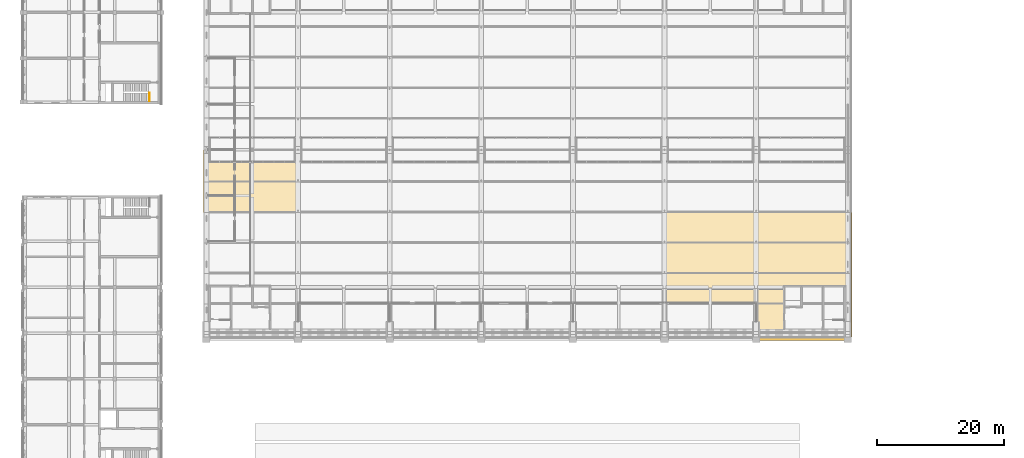
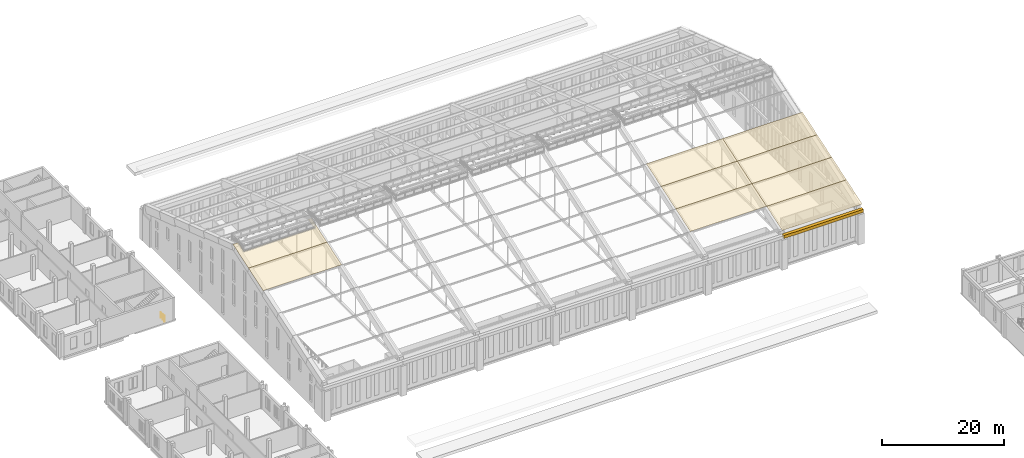
# One storey, part 146 of 149: 10 coverings, 1 railing.
"""IFC4 building model written with IfcOpenShell, lengths in metres."""

from ifc_helpers import new_model, si_unit, direction, frame, frame_2d, origin, origin_2d, place, context, subcontext, project, spatial, polyline, rectangle, circle, outline, extrude, material, layer, layer_set, type_object, element, save


model = new_model("IFC4")

# Units and contexts
model_context = context("Model", 3, precision=1e-05, world=origin(), true_north=direction((0.0, 1.0)))
body_context = subcontext(model_context, "Body", "Model", "MODEL_VIEW")
ifc_project = project(units=[si_unit("LENGTHUNIT", "METRE"), si_unit("AREAUNIT", "SQUARE_METRE"), si_unit("VOLUMEUNIT", "CUBIC_METRE"), si_unit("PLANEANGLEUNIT", "RADIAN"), si_unit("MASSUNIT", "GRAM", prefix="KILO")], contexts=[model_context])

# Site, building, storey
site_placement = place(None, origin())
site = spatial("IfcSite", under=ifc_project, at=site_placement, CompositionType="ELEMENT")
building_placement = place(site_placement, origin())
building = spatial("IfcBuilding", under=site, at=building_placement, Name="Alderwick Market Hall", CompositionType="ELEMENT")
storey_placement = place(building_placement, frame((0.0, 0.0, 9.60009765625)))
storey = spatial("IfcBuildingStorey", under=building, at=storey_placement, Name="L01", CompositionType="ELEMENT", Elevation=9.60009765625)

# Railing
ifc_material_1 = material(Name="Steel ASTM A500 Grade C", Category="steel")
railing_type = type_object("IfcRailingType", Name="B Stair Guard 1100", PredefinedType="GUARDRAIL", material=ifc_material_1)
railing_placement = place(storey_placement, frame((41.449951171875, 86.85009765625, 0.0)))
element("IfcRailing", 1, at=railing_placement, inside=storey, type_object=railing_type, Name="Stair well guard", PredefinedType="GUARDRAIL", context=body_context, shape_type="SweptSolid", body=[
    extrude(circle(Radius=0.02392578125, at=origin_2d()), frame((0.0, 0.0, 1.076171875), z_axis=(0.0, 1.0, 0.0), x_axis=(-1.0, 0.0, 0.0)), (0.0, 0.0, 1.0), 1.27001953125),
    extrude(circle(Radius=0.02099609375, at=origin_2d()), origin(), (0.0, 0.0, 1.0), 1.052001953125),
    extrude(circle(Radius=0.02099609375, at=origin_2d()), frame((0.0, 0.635009765625, 0.0)), (0.0, 0.0, 1.0), 1.052001953125),
    extrude(circle(Radius=0.02099609375, at=origin_2d()), frame((0.0, 1.27001953125, 0.0)), (0.0, 0.0, 1.0), 1.052001953125),
])

# Coverings
ifc_material_2 = material(Name="Cast stone 5000 psi (f'c 35 MPa), ASTM C1364", Category="masonry")
ifc_layer_1 = layer(ifc_material_2, 0.60009765625)
ifc_layer_set_1 = layer_set([ifc_layer_1], Name="Cast stone 5000 psi (f'c 35 MPa), ASTM C1364")
covering_type_1 = type_object("IfcCoveringType", Name="H Cornice 600", PredefinedType="CLADDING", material=ifc_layer_set_1)
covering_1_placement = place(storey_placement, frame((136.800048828125, 49.5, 6.0), z_axis=(0.0, 0.0, 1.0), x_axis=(1.0, 0.0, 0.0)))
element("IfcCovering", 2, at=covering_1_placement, inside=storey, type_object=covering_type_1, Name="Cornice S", PredefinedType="CLADDING", context=body_context, shape_type="SweptSolid", body=[
    extrude(rectangle(XDim=15.0, YDim=0.60009765625, at=frame_2d((7.5, 0.0))), origin(), (0.0, 0.0, 1.0), 0.599853515625),
])
ifc_material_3 = material(Name="Copper standing seam roofing")
ifc_layer_2 = layer(ifc_material_3, 0.00390625)
ifc_layer_set_2 = layer_set([ifc_layer_2], Name="Copper standing seam roofing")
covering_type_2 = type_object("IfcCoveringType", Name="R Copper Roofing 4 mm", PredefinedType="ROOFING", material=ifc_layer_set_2)
covering_2_placement = place(storey_placement, frame((49.949951171875, 69.336181640625, 13.791015625), z_axis=(0.0, -0.316242241517, 0.948678472761), x_axis=(1.0, 0.0, 0.0)))
element("IfcCovering", 3, at=covering_2_placement, inside=storey, type_object=covering_type_2, Name="Copper roofing 1.5", PredefinedType="ROOFING", context=body_context, shape_type="SweptSolid", body=[
    extrude(outline(polyline([(0.0, 0.0), (14.85009765625, 0.0), (14.85009765625, 5.059721460902856), (0.0, 5.059721460902856), (0.0, 0.0)])), origin(), (0.0, 0.0, -1.0), 0.00390625),
])
covering_3_placement = place(storey_placement, frame((49.949951171875, 74.13623046875, 15.39111328125), z_axis=(0.0, -0.316230010335, 0.948682549942), x_axis=(1.0, 0.0, 0.0)))
element("IfcCovering", 4, at=covering_3_placement, inside=storey, type_object=covering_type_2, Name="Copper roofing 1.6", PredefinedType="ROOFING", context=body_context, shape_type="SweptSolid", body=[
    extrude(outline(polyline([(0.0, 0.0), (14.85009765625, 0.0), (14.85009765625, 5.337656020457287), (14.25, 5.337656020457287), (14.25, 3.412418764136993), (1.050048828125, 3.412418764136993), (1.050048828125, 5.337656020457287), (0.0, 5.337656020457287), (0.0, 0.0)])), origin(), (0.0, 0.0, -1.0), 0.00390625),
])
covering_4_placement = place(storey_placement, frame((122.39990234375, 54.936279296875, 8.9912109375), z_axis=(0.0, -0.316198814353, 0.948692948114), x_axis=(1.0, 0.0, 0.0)))
element("IfcCovering", 5, at=covering_4_placement, inside=storey, type_object=covering_type_2, Name="Copper roofing 6.2", PredefinedType="ROOFING", context=body_context, shape_type="SweptSolid", body=[
    extrude(outline(polyline([(0.0, 0.0), (14.400146484375, 0.0), (14.400146484375, 5.059644258625487), (0.0, 5.059644258625487), (0.0, 0.0)])), origin(), (0.0, 0.0, -1.0), 0.00390625),
])
covering_5_placement = place(storey_placement, frame((122.39990234375, 59.736328125, 10.591064453125), z_axis=(0.0, -0.316242241517, 0.948678472761), x_axis=(1.0, 0.0, 0.0)))
element("IfcCovering", 6, at=covering_5_placement, inside=storey, type_object=covering_type_2, Name="Copper roofing 6.3", PredefinedType="ROOFING", context=body_context, shape_type="SweptSolid", body=[
    extrude(outline(polyline([(0.0, 0.0), (14.400146484375, 0.0), (14.400146484375, 5.059721460902856), (0.0, 5.059721460902856), (0.0, 0.0)])), origin(), (0.0, 0.0, -1.0), 0.00390625),
])
covering_6_placement = place(storey_placement, frame((122.39990234375, 64.536376953125, 12.191162109375), z_axis=(0.0, -0.316213289559, 0.948688123414), x_axis=(1.0, 0.0, 0.0)))
element("IfcCovering", 7, at=covering_6_placement, inside=storey, type_object=covering_type_2, Name="Copper roofing 6.4", PredefinedType="ROOFING", context=body_context, shape_type="SweptSolid", body=[
    extrude(outline(polyline([(0.0, 0.0), (14.400146484375, 0.0), (14.400146484375, 5.059412644725141), (0.0, 5.059412644725141), (0.0, 0.0)])), origin(), (0.0, 0.0, -1.0), 0.00390625),
])
covering_7_placement = place(storey_placement, frame((136.800048828125, 49.7734375, 7.270263671875), z_axis=(0.0, -0.316227766017, 0.948683298051), x_axis=(1.0, 0.0, 0.0)))
element("IfcCovering", 8, at=covering_7_placement, inside=storey, type_object=covering_type_2, Name="Copper roofing 7.1", PredefinedType="ROOFING", context=body_context, shape_type="SweptSolid", body=[
    extrude(outline(polyline([(0.0, 0.0), (15.099853515625, 0.0), (15.099853515625, 5.442113092413796), (0.0, 5.442113092413796), (0.0, 0.0)])), origin(), (0.0, 0.0, -1.0), 0.00390625),
])
covering_8_placement = place(storey_placement, frame((136.800048828125, 54.936279296875, 8.9912109375), z_axis=(0.0, -0.316198814353, 0.948692948114), x_axis=(1.0, 0.0, 0.0)))
element("IfcCovering", 9, at=covering_8_placement, inside=storey, type_object=covering_type_2, Name="Copper roofing 7.2", PredefinedType="ROOFING", context=body_context, shape_type="SweptSolid", body=[
    extrude(outline(polyline([(0.0, 0.0), (15.099853515625, 0.0), (15.099853515625, 5.059644258625488), (0.0, 5.059644258625488), (0.0, 0.0)])), origin(), (0.0, 0.0, -1.0), 0.00390625),
])
covering_9_placement = place(storey_placement, frame((136.800048828125, 59.736328125, 10.591064453125), z_axis=(0.0, -0.316242241517, 0.948678472761), x_axis=(1.0, 0.0, 0.0)))
element("IfcCovering", 10, at=covering_9_placement, inside=storey, type_object=covering_type_2, Name="Copper roofing 7.3", PredefinedType="ROOFING", context=body_context, shape_type="SweptSolid", body=[
    extrude(outline(polyline([(0.0, 0.0), (15.099853515625, 0.0), (15.099853515625, 5.059721460902855), (0.0, 5.059721460902855), (0.0, 0.0)])), origin(), (0.0, 0.0, -1.0), 0.00390625),
])
covering_10_placement = place(storey_placement, frame((136.800048828125, 64.536376953125, 12.191162109375), z_axis=(0.0, -0.316213289559, 0.948688123414), x_axis=(1.0, 0.0, 0.0)))
element("IfcCovering", 11, at=covering_10_placement, inside=storey, type_object=covering_type_2, Name="Copper roofing 7.4", PredefinedType="ROOFING", context=body_context, shape_type="SweptSolid", body=[
    extrude(outline(polyline([(0.0, 0.0), (15.099853515625, 0.0), (15.099853515625, 5.059412644725141), (0.0, 5.059412644725141), (0.0, 0.0)])), origin(), (0.0, 0.0, -1.0), 0.00390625),
])

save(model, "model.ifc")
